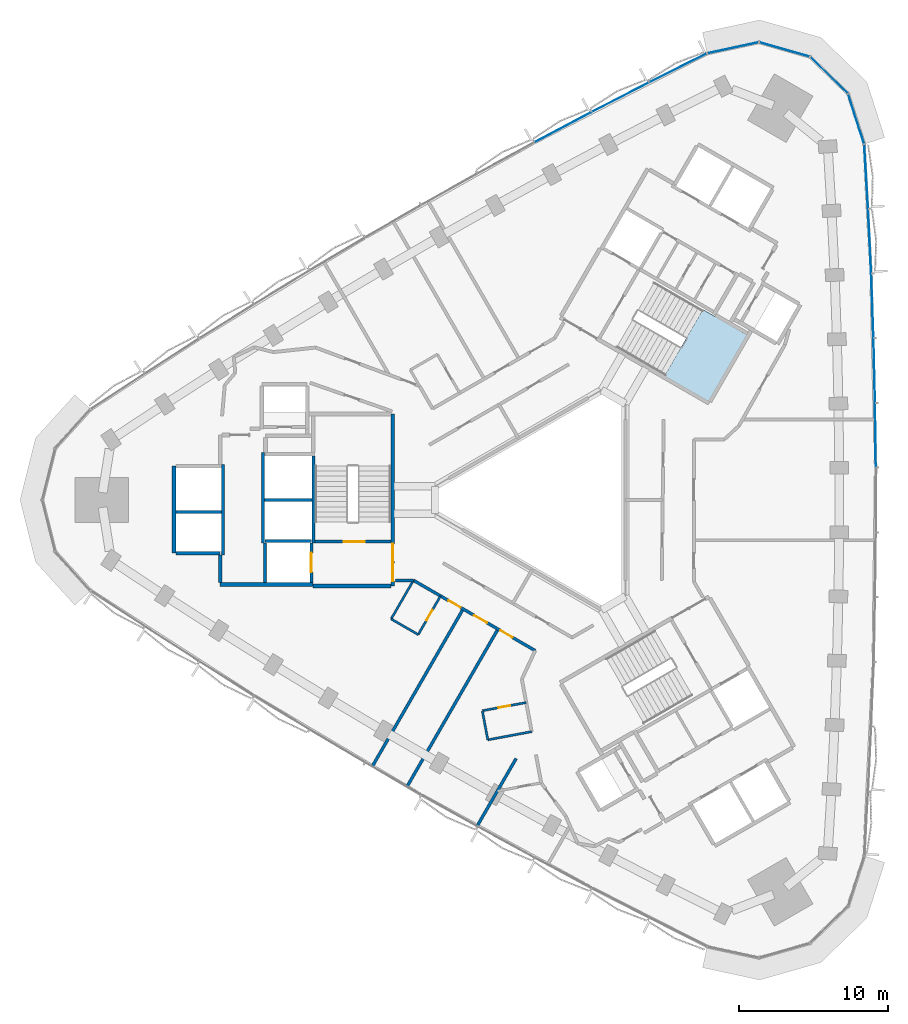
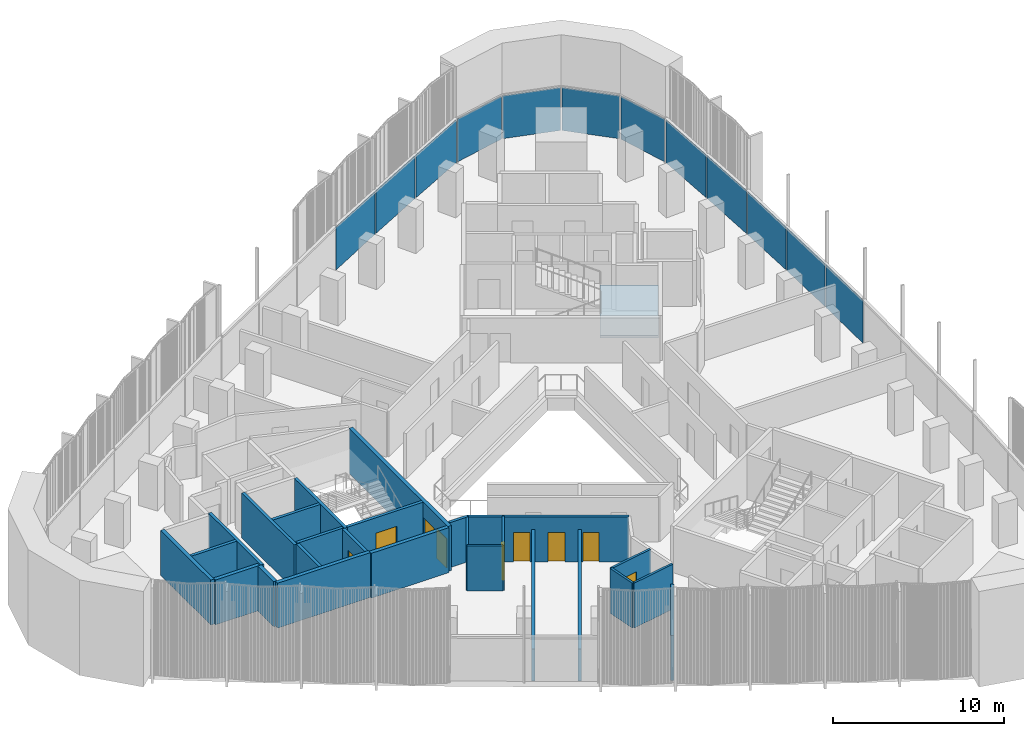
# One storey, part 7 of 14: 26 walls, 12 plates, 9 doors, 1 slab, 9 openings, 3 elements without a shape of their own.
"""IFC4 building model written with IfcOpenShell, lengths in metres."""

from ifc_helpers import new_model, si_unit, direction, frame, frame_2d, origin, origin_2d, place, context, subcontext, project, spatial, polyline, rectangle, outline, extrude, material, layer, layer_set, type_object, element, fill, aggregate, save


model = new_model("IFC4")

# Units and contexts
model_context = context("Model", 3, precision=1e-05, world=origin(), true_north=direction((0.0, 1.0)))
body_context = subcontext(model_context, "Body", "Model", "MODEL_VIEW")
ifc_project = project(units=[si_unit("LENGTHUNIT", "METRE"), si_unit("AREAUNIT", "SQUARE_METRE"), si_unit("VOLUMEUNIT", "CUBIC_METRE"), si_unit("PLANEANGLEUNIT", "RADIAN"), si_unit("MASSUNIT", "GRAM", prefix="KILO")], contexts=[model_context])

# Site, building, storey
site_placement = place(None, origin())
site = spatial("IfcSite", under=ifc_project, at=site_placement, CompositionType="ELEMENT")
building_placement = place(site_placement, origin())
building = spatial("IfcBuilding", under=site, at=building_placement, Name="Tamra Quay Hotel Tower", CompositionType="ELEMENT")
storey_placement = place(building_placement, frame((0.0, 0.0, 139.60009765625)))
storey = spatial("IfcBuildingStorey", under=building, at=storey_placement, Name="L34", CompositionType="ELEMENT", Elevation=139.60009765625)

# Stair, slab
ifc_material_1 = material(Name="Exit stair 2200 24 risers 150.0 going 342")
stair_type = type_object("IfcStairType", Name="Exit stair 2200 24 risers 150.0 going 342", PredefinedType="HALF_TURN_STAIR", material=ifc_material_1)
stair_placement = place(storey_placement, origin())
stair = element("IfcStair", 1, at=stair_placement, inside=storey, type_object=stair_type, Name="L34 Exit stair ST1", PredefinedType="HALF_TURN_STAIR")
ifc_material_2 = material(Name="Concrete M70", Category="concrete")
ifc_layer_1 = layer(ifc_material_2, 0.175048828125)
ifc_layer_set_1 = layer_set([ifc_layer_1], Name="Concrete M70 stair landing 180")
slab_type = type_object("IfcSlabType", Name="Concrete M70 stair landing 180", PredefinedType="LANDING", material=ifc_layer_set_1)
slab_placement = place(storey_placement, frame((0.0, 0.0, 1.625)))
slab = element("IfcSlab", 2, at=slab_placement, type_object=slab_type, Name="ST1 landing 1", PredefinedType="LANDING", context=body_context, shape_type="SweptSolid", body=[
    extrude(outline(polyline([(7.425048828125, 8.336669921875), (10.385009765625, 6.627685546875), (12.964599609375, 11.095458984375), (10.00439453125, 12.804443359375), (7.425048828125, 8.336669921875)])), origin(), (0.0, 0.0, 1.0), 0.1748046875),
])
aggregate(stair, [slab])

# Curtain wall, plates
ifc_material_3 = material(Name="Aluminium 6063 anodised dark grey", Category="aluminium")
curtain_wall_type_1 = type_object("IfcCurtainWallType", Name="CW1 CURTAIN WALL", PredefinedType="NOTDEFINED", material=ifc_material_3)
curtain_wall_1_placement = place(storey_placement, origin())
curtain_wall_1 = element("IfcCurtainWall", 3, at=curtain_wall_1_placement, inside=storey, type_object=curtain_wall_type_1, Name="CW1 east face L34", PredefinedType="NOTDEFINED")
ifc_material_4 = material(Name="Glass clear laminated low-iron", Category="glass")
ifc_layer_2 = layer(ifc_material_4, 0.031982421875)
ifc_layer_set_2 = layer_set([ifc_layer_2], Name="GLASS PANEL CW1 Z3")
plate_type_1 = type_object("IfcPlateType", Name="GLASS PANEL CW1 Z3", PredefinedType="CURTAIN_PANEL", material=ifc_layer_set_2)
plate_1_placement = place(storey_placement, frame((21.60546875, 4.3515625, -0.000244140625), z_axis=(0.0, 0.0, 1.0), x_axis=(-0.011956859788, 0.999928514197, 0.0)))
plate_1 = element("IfcPlate", 4, at=plate_1_placement, type_object=plate_type_1, Name="CW1 glass L34.E.7", PredefinedType="CURTAIN_PANEL", context=body_context, shape_type="SweptSolid", body=[
    extrude(rectangle(XDim=4.2509765625, YDim=0.031982421875, at=origin_2d()), origin(), (0.0, 0.0, 1.0), 3.06005859375),
])
plate_2_placement = place(storey_placement, frame((21.527587890625, 8.70263671875, -0.000244140625), z_axis=(0.0, 0.0, 1.0), x_axis=(-0.023895852937, 0.999714453338, 0.0)))
plate_2 = element("IfcPlate", 5, at=plate_2_placement, type_object=plate_type_1, Name="CW1 glass L34.E.8", PredefinedType="CURTAIN_PANEL", context=body_context, shape_type="SweptSolid", body=[
    extrude(rectangle(XDim=4.252685546875, YDim=0.031982421875, at=origin_2d()), origin(), (0.0, 0.0, 1.0), 3.06005859375),
])
plate_3_placement = place(storey_placement, frame((21.3974609375, 13.05322265625, -0.000244140625), z_axis=(0.0, 0.0, 1.0), x_axis=(-0.035845418958, 0.999357346468, 0.0)))
plate_3 = element("IfcPlate", 6, at=plate_3_placement, type_object=plate_type_1, Name="CW1 glass L34.E.9", PredefinedType="CURTAIN_PANEL", context=body_context, shape_type="SweptSolid", body=[
    extrude(rectangle(XDim=4.252685546875, YDim=0.031982421875, at=origin_2d()), origin(), (0.0, 0.0, 1.0), 3.06005859375),
])
plate_4_placement = place(storey_placement, frame((21.215576171875, 17.401123046875, -0.000244140625), z_axis=(0.0, 0.0, 1.0), x_axis=(-0.047747439326, 0.998859440581, 0.0)))
plate_4 = element("IfcPlate", 7, at=plate_4_placement, type_object=plate_type_1, Name="CW1 glass L34.E.10", PredefinedType="CURTAIN_PANEL", context=body_context, shape_type="SweptSolid", body=[
    extrude(rectangle(XDim=4.2509765625, YDim=0.031982421875, at=origin_2d()), origin(), (0.0, 0.0, 1.0), 3.06005859375),
])
plate_5_placement = place(storey_placement, frame((20.98193359375, 21.74609375, -0.000244140625), z_axis=(0.0, 0.0, 1.0), x_axis=(-0.059641629271, 0.998219853568, 0.0)))
plate_5 = element("IfcPlate", 8, at=plate_5_placement, type_object=plate_type_1, Name="CW1 glass L34.E.11", PredefinedType="CURTAIN_PANEL", context=body_context, shape_type="SweptSolid", body=[
    extrude(rectangle(XDim=4.251708984375, YDim=0.031982421875, at=origin_2d()), origin(), (0.0, 0.0, 1.0), 3.06005859375),
])
plate_6_placement = place(storey_placement, frame((20.306884765625, 25.615234375, -0.000244140625), z_axis=(0.0, 0.0, 1.0), x_axis=(-0.305914777883, 0.952058899792, 0.0)))
plate_6 = element("IfcPlate", 9, at=plate_6_placement, type_object=plate_type_1, Name="CW1 glass L34.E.12", PredefinedType="CURTAIN_PANEL", context=body_context, shape_type="SweptSolid", body=[
    extrude(rectangle(XDim=3.46484375, YDim=0.031982421875, at=origin_2d()), origin(), (0.0, 0.0, 1.0), 3.06005859375),
])
plate_7_placement = place(storey_placement, frame((18.480712890625, 28.5517578125, -0.000244140625), z_axis=(0.0, 0.0, 1.0), x_axis=(-0.718584480635, 0.695439676888, 0.0)))
plate_7 = element("IfcPlate", 10, at=plate_7_placement, type_object=plate_type_1, Name="CW1 glass L34.E.13", PredefinedType="CURTAIN_PANEL", context=body_context, shape_type="SweptSolid", body=[
    extrude(rectangle(XDim=3.46484375, YDim=0.031982421875, at=origin_2d()), origin(), (0.0, 0.0, 1.0), 3.06005859375),
])
plate_8_placement = place(storey_placement, frame((15.486083984375, 30.28076171875, -0.000244140625), z_axis=(0.0, 0.0, 1.0), x_axis=(-0.961560667302, 0.274592576551, 0.0)))
plate_8 = element("IfcPlate", 11, at=plate_8_placement, type_object=plate_type_1, Name="CW1 glass L34.E.14", PredefinedType="CURTAIN_PANEL", context=body_context, shape_type="SweptSolid", body=[
    extrude(rectangle(XDim=3.46484375, YDim=0.031982421875, at=origin_2d()), origin(), (0.0, 0.0, 1.0), 3.06005859375),
])
plate_9_placement = place(storey_placement, frame((12.030029296875, 30.393798828125, -0.000244140625), z_axis=(0.0, 0.0, 1.0), x_axis=(-0.97746458206, -0.211099480856, 0.0)))
plate_9 = element("IfcPlate", 12, at=plate_9_placement, type_object=plate_type_1, Name="CW1 glass L34.E.15", PredefinedType="CURTAIN_PANEL", context=body_context, shape_type="SweptSolid", body=[
    extrude(rectangle(XDim=3.46484375, YDim=0.031982421875, at=origin_2d()), origin(), (0.0, 0.0, 1.0), 3.06005859375),
])
aggregate(curtain_wall_1, [plate_1, plate_2, plate_3, plate_4, plate_5, plate_6, plate_7, plate_8, plate_9])

curtain_wall_type_2 = type_object("IfcCurtainWallType", Name="CW2 CURTAIN WALL", PredefinedType="NOTDEFINED", material=ifc_material_3)
curtain_wall_2_placement = place(storey_placement, origin())
curtain_wall_2 = element("IfcCurtainWall", 13, at=curtain_wall_2_placement, inside=storey, type_object=curtain_wall_type_2, Name="CW2 north-west face L34", PredefinedType="NOTDEFINED")
ifc_layer_3 = layer(ifc_material_4, 0.031982421875)
ifc_layer_set_3 = layer_set([ifc_layer_3], Name="GLASS PANEL CW2 Z3")
plate_type_2 = type_object("IfcPlateType", Name="GLASS PANEL CW2 Z3", PredefinedType="CURTAIN_PANEL", material=ifc_layer_set_3)
plate_10_placement = place(storey_placement, frame((8.341796875, 29.0439453125, -0.000244140625), z_axis=(0.0, 0.0, 1.0), x_axis=(-0.894304566387, -0.447458760713, 0.0)))
plate_10 = element("IfcPlate", 14, at=plate_10_placement, type_object=plate_type_2, Name="CW2 glass L34.NW.1", PredefinedType="CURTAIN_PANEL", context=body_context, shape_type="SweptSolid", body=[
    extrude(rectangle(XDim=4.251708984375, YDim=0.031982421875, at=origin_2d()), origin(), (0.0, 0.0, 1.0), 3.06005859375),
])
plate_11_placement = place(storey_placement, frame((4.462158203125, 27.073974609375, -0.000244140625), z_axis=(0.0, 0.0, 1.0), x_axis=(-0.888911370016, -0.458079224868, 0.0)))
plate_11 = element("IfcPlate", 15, at=plate_11_placement, type_object=plate_type_2, Name="CW2 glass L34.NW.2", PredefinedType="CURTAIN_PANEL", context=body_context, shape_type="SweptSolid", body=[
    extrude(rectangle(XDim=4.2509765625, YDim=0.031982421875, at=origin_2d()), origin(), (0.0, 0.0, 1.0), 3.06005859375),
])
plate_12_placement = place(storey_placement, frame((0.605712890625, 25.057373046875, -0.000244140625), z_axis=(0.0, 0.0, 1.0), x_axis=(-0.883391558979, -0.468635629808, 0.0)))
plate_12 = element("IfcPlate", 16, at=plate_12_placement, type_object=plate_type_2, Name="CW2 glass L34.NW.3", PredefinedType="CURTAIN_PANEL", context=body_context, shape_type="SweptSolid", body=[
    extrude(rectangle(XDim=4.252685546875, YDim=0.031982421875, at=origin_2d()), origin(), (0.0, 0.0, 1.0), 3.06005859375),
])
aggregate(curtain_wall_2, [plate_10, plate_11, plate_12])

# Walls
ifc_layer_4 = layer(ifc_material_2, 0.199951171875)
ifc_layer_set_4 = layer_set([ifc_layer_4], Name="Concrete M70 core wall 200")
wall_type_1 = type_object("IfcWallType", Name="Concrete M70 core wall 200", PredefinedType="SHEAR", material=ifc_layer_set_4)
wall_1_placement = place(storey_placement, frame((-16.162109375, 2.95068359375, 0.0), z_axis=(0.0, 0.0, 1.0), x_axis=(0.0, -1.0, 0.0)))
element("IfcWall", 17, at=wall_1_placement, inside=storey, type_object=wall_type_1, Name="CW2", PredefinedType="SHEAR", context=body_context, shape_type="SweptSolid", body=[
    extrude(rectangle(XDim=5.850830078125, YDim=0.199951171875, at=frame_2d((2.92529296875, 0.0))), origin(), (0.0, 0.0, 1.0), 3.199951171875),
])
for number, where, z_axis, x_axis, name in (
    (18, (-19.5625, -2.900146484375, 0.0), (0.0, 0.0, 1.0), (0.0, 1.0, 0.0), "CW2"),
    (19, (-22.26220703125, 2.400146484375, 0.0), (0.0, 0.0, 1.0), (0.0, -1.0, 0.0), "CW2"),
):
    element("IfcWall", number, at=place(storey_placement, frame(where, z_axis=z_axis, x_axis=x_axis)), inside=storey, type_object=wall_type_1, Name=name, PredefinedType="SHEAR", context=body_context, shape_type="SweptSolid", body=[
        extrude(rectangle(XDim=6.100341796875, YDim=0.199951171875, at=frame_2d((3.05029296875, 0.0))), origin(), (0.0, 0.0, 1.0), 3.199951171875),
    ])

# Wall, opening, door
wall_2_placement = place(storey_placement, frame((-10.96337890625, -2.800048828125, 0.0), z_axis=(0.0, 0.0, 1.0), x_axis=(-1.0, 0.0, 0.0)))
wall_2 = element("IfcWall", 20, at=wall_2_placement, inside=storey, type_object=wall_type_1, Name="CW2", PredefinedType="SHEAR", context=body_context, shape_type="SweptSolid", body=[
    extrude(rectangle(XDim=5.097900390625, YDim=0.199951171875, at=frame_2d((2.548828125, 0.0))), origin(), (0.0, 0.0, 1.0), 3.199951171875),
])
opening_1_placement = place(wall_2_placement, frame((1.77392578125, 0.0, 0.0)))
opening_1 = element("IfcOpeningElement", 21, at=opening_1_placement, cuts=wall_2, Name="Opening FD2", PredefinedType="OPENING", context=body_context, shape_type="SweptSolid", body=[
    extrude(rectangle(XDim=1.39990234375, YDim=2.10009765625, at=frame_2d((0.699951171875, 1.050048828125))), frame((0.0, 0.10986328125, 0.0), z_axis=(0.0, -1.0, 0.0), x_axis=(1.0, 0.0, 0.0)), (0.0, 0.0, 1.0), 0.219970703125),
])
ifc_material_5 = material(Name="Core door FD2 1400x2100 RH")
door_type_1 = type_object("IfcDoorType", Name="Core door FD2 1400x2100 RH", OperationType="NOTDEFINED", PredefinedType="DOOR", material=ifc_material_5)
door_1_placement = place(opening_1_placement, origin())
door_1 = element("IfcDoor", 22, at=door_1_placement, inside=storey, type_object=door_type_1, Name="FD2", OperationType="SINGLE_SWING_RIGHT", OverallHeight=2.10009765625, OverallWidth=1.39990234375, PredefinedType="DOOR", context=body_context, shape_type="SweptSolid", body=[
    extrude(rectangle(XDim=1.39990234375, YDim=2.10009765625, at=frame_2d((0.699951171875, 1.050048828125))), frame((0.0, 0.02490234375, 0.0), z_axis=(0.0, -1.0, 0.0), x_axis=(1.0, 0.0, 0.0)), (0.0, 0.0, 1.0), 0.050048828125),
])
fill(opening_1, door_1)

# Walls
wall_3_placement = place(storey_placement, frame((-16.26318359375, 0.0, 0.0), z_axis=(0.0, 0.0, 1.0), x_axis=(-1.0, 0.0, 0.0)))
element("IfcWall", 23, at=wall_3_placement, inside=storey, type_object=wall_type_1, Name="CW2", PredefinedType="SHEAR", context=body_context, shape_type="SweptSolid", body=[
    extrude(rectangle(XDim=3.1982421875, YDim=0.199951171875, at=frame_2d((1.59912109375, 0.0))), origin(), (0.0, 0.0, 1.0), 3.199951171875),
])
wall_4_placement = place(storey_placement, frame((-22.36328125, -0.800048828125, 0.0), z_axis=(0.0, 0.0, 1.0), x_axis=(-1.0, 0.0, 0.0)))
element("IfcWall", 24, at=wall_4_placement, inside=storey, type_object=wall_type_1, Name="CW2", PredefinedType="SHEAR", context=body_context, shape_type="SweptSolid", body=[
    extrude(rectangle(XDim=3.048095703125, YDim=0.199951171875, at=frame_2d((1.52392578125, 0.0))), origin(), (0.0, 0.0, 1.0), 3.199951171875),
])
wall_5_placement = place(storey_placement, frame((-19.412353515625, -2.75, 0.0), z_axis=(0.0, 0.0, 1.0), x_axis=(1.0, 0.0, 0.0)))
element("IfcWall", 25, at=wall_5_placement, inside=storey, type_object=wall_type_1, Name="CW2", PredefinedType="SHEAR", context=body_context, shape_type="SweptSolid", body=[
    extrude(rectangle(XDim=3.10009765625, YDim=0.199951171875, at=frame_2d((1.550048828125, 0.0))), origin(), (0.0, 0.0, 1.0), 3.199951171875),
])

# Wall, opening, door
wall_6_placement = place(storey_placement, frame((-16.312255859375, -2.898193359375, 0.0), z_axis=(0.0, 0.0, 1.0), x_axis=(0.0, -1.0, 0.0)))
wall_6 = element("IfcWall", 26, at=wall_6_placement, inside=storey, type_object=wall_type_1, Name="CW2", PredefinedType="SHEAR", context=body_context, shape_type="SweptSolid", body=[
    extrude(rectangle(XDim=2.65087890625, YDim=0.199951171875, at=frame_2d((1.325439453125, 0.0))), origin(), (0.0, 0.0, 1.0), 3.199951171875),
])
opening_2_placement = place(wall_6_placement, frame((0.65185546875, 0.0, 0.0)))
opening_2 = element("IfcOpeningElement", 27, at=opening_2_placement, cuts=wall_6, Name="Opening LD", PredefinedType="OPENING", context=body_context, shape_type="SweptSolid", body=[
    extrude(rectangle(XDim=1.300048828125, YDim=2.10009765625, at=frame_2d((0.64990234375, 1.050048828125))), frame((0.0, 0.10986328125, 0.0), z_axis=(0.0, -1.0, 0.0), x_axis=(1.0, 0.0, 0.0)), (0.0, 0.0, 1.0), 0.219970703125),
])
ifc_material_6 = material(Name="Landing door LD 1300 sliding to right")
door_type_2 = type_object("IfcDoorType", Name="Landing door LD 1300 sliding to right", OperationType="NOTDEFINED", PredefinedType="DOOR", material=ifc_material_6)
door_2_placement = place(opening_2_placement, origin())
door_2 = element("IfcDoor", 28, at=door_2_placement, inside=storey, type_object=door_type_2, Name="LD", OperationType="SLIDING_TO_RIGHT", OverallHeight=2.10009765625, OverallWidth=1.300048828125, PredefinedType="DOOR", context=body_context, shape_type="SweptSolid", body=[
    extrude(rectangle(XDim=1.300048828125, YDim=2.10009765625, at=frame_2d((0.64990234375, 1.050048828125))), frame((0.0, 0.02490234375, 0.0), z_axis=(0.0, -1.0, 0.0), x_axis=(1.0, 0.0, 0.0)), (0.0, 0.0, 1.0), 0.050048828125),
])
fill(opening_2, door_2)

# Wall
wall_7_placement = place(storey_placement, frame((-19.412353515625, -5.549072265625, 0.0), z_axis=(0.0, 0.0, 1.0), x_axis=(0.0, 1.0, 0.0)))
element("IfcWall", 29, at=wall_7_placement, inside=storey, type_object=wall_type_1, Name="CW2", PredefinedType="SHEAR", context=body_context, shape_type="SweptSolid", body=[
    extrude(rectangle(XDim=2.65087890625, YDim=0.199951171875, at=frame_2d((1.325439453125, 0.0))), origin(), (0.0, 0.0, 1.0), 3.199951171875),
])

# Wall, openings, doors
ifc_layer_5 = layer(ifc_material_2, 0.25)
ifc_layer_set_5 = layer_set([ifc_layer_5], Name="Concrete M70 core wall 250")
wall_type_2 = type_object("IfcWallType", Name="Concrete M70 core wall 250", PredefinedType="SHEAR", material=ifc_layer_set_5)
wall_8_placement = place(storey_placement, frame((-10.83740234375, 5.77490234375, 0.0), z_axis=(0.0, 0.0, 1.0), x_axis=(0.0, -1.0, 0.0)))
wall_8 = element("IfcWall", 30, at=wall_8_placement, inside=storey, type_object=wall_type_2, Name="CW1", PredefinedType="SHEAR", context=body_context, shape_type="SweptSolid", body=[
    extrude(rectangle(XDim=11.5498046875, YDim=0.25, at=frame_2d((5.77490234375, 0.0))), origin(), (0.0, 0.0, 1.0), 3.199951171875),
])
opening_3_placement = place(wall_8_placement, frame((10.02490234375, 0.0, 0.0)))
opening_3 = element("IfcOpeningElement", 31, at=opening_3_placement, cuts=wall_8, Name="Opening FD1", PredefinedType="OPENING", context=body_context, shape_type="SweptSolid", body=[
    extrude(rectangle(XDim=1.199951171875, YDim=2.10009765625, at=frame_2d((0.60009765625, 1.050048828125))), frame((0.0, 0.135009765625, 0.0), z_axis=(0.0, -1.0, 0.0), x_axis=(1.0, 0.0, 0.0)), (0.0, 0.0, 1.0), 0.27001953125),
])
opening_4_placement = place(wall_8_placement, frame((8.72509765625, 0.0, 0.0)))
opening_4 = element("IfcOpeningElement", 32, at=opening_4_placement, cuts=wall_8, Name="Opening FD1", PredefinedType="OPENING", context=body_context, shape_type="SweptSolid", body=[
    extrude(rectangle(XDim=1.199951171875, YDim=2.10009765625, at=frame_2d((0.60009765625, 1.050048828125))), frame((0.0, 0.135009765625, 0.0), z_axis=(0.0, -1.0, 0.0), x_axis=(1.0, 0.0, 0.0)), (0.0, 0.0, 1.0), 0.27001953125),
])
ifc_material_7 = material(Name="Core door FD1 1200x2100 LH")
door_type_3 = type_object("IfcDoorType", Name="Core door FD1 1200x2100 LH", OperationType="NOTDEFINED", PredefinedType="DOOR", material=ifc_material_7)
door_3_placement = place(opening_3_placement, origin())
door_3 = element("IfcDoor", 33, at=door_3_placement, inside=storey, type_object=door_type_3, Name="FD1", OperationType="SINGLE_SWING_LEFT", OverallHeight=2.10009765625, OverallWidth=1.199951171875, PredefinedType="DOOR", context=body_context, shape_type="SweptSolid", body=[
    extrude(rectangle(XDim=1.199951171875, YDim=2.10009765625, at=frame_2d((0.60009765625, 1.050048828125))), frame((0.0, 0.02490234375, 0.0), z_axis=(0.0, -1.0, 0.0), x_axis=(1.0, 0.0, 0.0)), (0.0, 0.0, 1.0), 0.050048828125),
])
fill(opening_3, door_3)
ifc_material_8 = material(Name="Core door FD1 1200x2100 RH")
door_type_4 = type_object("IfcDoorType", Name="Core door FD1 1200x2100 RH", OperationType="NOTDEFINED", PredefinedType="DOOR", material=ifc_material_8)
door_4_placement = place(opening_4_placement, origin())
door_4 = element("IfcDoor", 34, at=door_4_placement, inside=storey, type_object=door_type_4, Name="FD1", OperationType="SINGLE_SWING_RIGHT", OverallHeight=2.10009765625, OverallWidth=1.199951171875, PredefinedType="DOOR", context=body_context, shape_type="SweptSolid", body=[
    extrude(rectangle(XDim=1.199951171875, YDim=2.10009765625, at=frame_2d((0.60009765625, 1.050048828125))), frame((0.0, 0.02490234375, 0.0), z_axis=(0.0, -1.0, 0.0), x_axis=(1.0, 0.0, 0.0)), (0.0, 0.0, 1.0), 0.050048828125),
])
fill(opening_4, door_4)

# Walls
wall_9_placement = place(storey_placement, frame((-16.187255859375, -5.675048828125, 0.0), z_axis=(0.0, 0.0, 1.0), x_axis=(-1.0, 0.0, 0.0)))
element("IfcWall", 35, at=wall_9_placement, inside=storey, type_object=wall_type_2, Name="CW1", PredefinedType="SHEAR", context=body_context, shape_type="SweptSolid", body=[
    extrude(rectangle(XDim=6.25, YDim=0.25, at=frame_2d((3.125, 0.0))), origin(), (0.0, 0.0, 1.0), 3.199951171875),
])
wall_10_placement = place(storey_placement, frame((-25.537353515625, -3.574951171875, 0.0), z_axis=(0.0, 0.0, 1.0), x_axis=(0.0, 1.0, 0.0)))
element("IfcWall", 36, at=wall_10_placement, inside=storey, type_object=wall_type_2, Name="CW1", PredefinedType="SHEAR", context=body_context, shape_type="SweptSolid", body=[
    extrude(rectangle(XDim=5.849853515625, YDim=0.25, at=frame_2d((2.9248046875, 0.0))), origin(), (0.0, 0.0, 1.0), 3.199951171875),
])
wall_11_placement = place(storey_placement, frame((-10.962646484375, -5.77490234375, 0.0), z_axis=(0.0, 0.0, 1.0), x_axis=(-1.0, 0.0, 0.0)))
element("IfcWall", 37, at=wall_11_placement, inside=storey, type_object=wall_type_2, Name="CW1", PredefinedType="SHEAR", context=body_context, shape_type="SweptSolid", body=[
    extrude(rectangle(XDim=5.224609375, YDim=0.25, at=frame_2d((2.6123046875, 0.0))), origin(), (0.0, 0.0, 1.0), 3.199951171875),
])
wall_12_placement = place(storey_placement, frame((-22.437255859375, -3.574951171875, 0.0), z_axis=(0.0, 0.0, 1.0), x_axis=(-1.0, 0.0, 0.0)))
element("IfcWall", 38, at=wall_12_placement, inside=storey, type_object=wall_type_2, Name="CW1", PredefinedType="SHEAR", context=body_context, shape_type="SweptSolid", body=[
    extrude(rectangle(XDim=2.974609375, YDim=0.25, at=frame_2d((1.4873046875, 0.0))), origin(), (0.0, 0.0, 1.0), 3.199951171875),
])
wall_13_placement = place(storey_placement, frame((-22.437255859375, -5.549560546875, 0.0), z_axis=(0.0, 0.0, 1.0), x_axis=(0.0, 1.0, 0.0)))
element("IfcWall", 39, at=wall_13_placement, inside=storey, type_object=wall_type_2, Name="CW1", PredefinedType="SHEAR", context=body_context, shape_type="SweptSolid", body=[
    extrude(rectangle(XDim=1.84912109375, YDim=0.25, at=frame_2d((0.924560546875, 0.0))), origin(), (0.0, 0.0, 1.0), 3.199951171875),
])
ifc_material_9 = material(Name="Partition corridor wall")
ifc_layer_6 = layer(ifc_material_9, 0.199951171875)
ifc_layer_set_6 = layer_set([ifc_layer_6], Name="Partition corridor wall")
wall_type_3 = type_object("IfcWallType", Name="Partition corridor wall", PredefinedType="PARTITIONING", material=ifc_layer_set_6)
wall_14_placement = place(storey_placement, frame((-10.65234375, -5.39990234375, 0.0), z_axis=(0.0, 0.0, 1.0), x_axis=(1.0, 0.0, 0.0)))
element("IfcWall", 40, at=wall_14_placement, inside=storey, type_object=wall_type_3, Name="W-C", PredefinedType="PARTITIONING", context=body_context, shape_type="SweptSolid", body=[
    extrude(rectangle(XDim=1.205322265625, YDim=0.199951171875, at=frame_2d((0.6025390625, 0.0))), origin(), (0.0, 0.0, 1.0), 3.199951171875),
])

# Wall, openings, doors
wall_15_placement = place(storey_placement, frame((-9.447265625, -5.400390625, 0.0), z_axis=(0.0, 0.0, 1.0), x_axis=(0.866101262146, -0.49986858644, 0.0)))
wall_15 = element("IfcWall", 41, at=wall_15_placement, inside=storey, type_object=wall_type_3, Name="W-C", PredefinedType="PARTITIONING", context=body_context, shape_type="SweptSolid", body=[
    extrude(rectangle(XDim=9.44873046875, YDim=0.199951171875, at=frame_2d((4.724365234375, 0.0))), origin(), (0.0, 0.0, 1.0), 3.199951171875),
])
opening_5_placement = place(wall_15_placement, frame((2.71826171875, 0.0, 0.0)))
opening_5 = element("IfcOpeningElement", 42, at=opening_5_placement, cuts=wall_15, Name="Opening L34-D010", PredefinedType="OPENING", context=body_context, shape_type="SweptSolid", body=[
    extrude(rectangle(XDim=0.949951171875, YDim=2.10009765625, at=frame_2d((0.47509765625, 1.050048828125))), frame((0.0, 0.10986328125, 0.0), z_axis=(0.0, -1.0, 0.0), x_axis=(1.0, 0.0, 0.0)), (0.0, 0.0, 1.0), 0.219970703125),
])
opening_6_placement = place(wall_15_placement, frame((4.706787109375, 0.0, 0.0)))
opening_6 = element("IfcOpeningElement", 43, at=opening_6_placement, cuts=wall_15, Name="Opening L34-D012", PredefinedType="OPENING", context=body_context, shape_type="SweptSolid", body=[
    extrude(rectangle(XDim=1.0, YDim=2.10009765625, at=frame_2d((0.5, 1.050048828125))), frame((0.0, 0.10986328125, 0.0), z_axis=(0.0, -1.0, 0.0), x_axis=(1.0, 0.0, 0.0)), (0.0, 0.0, 1.0), 0.219970703125),
])
opening_7_placement = place(wall_15_placement, frame((6.74609375, 0.0, 0.0)))
opening_7 = element("IfcOpeningElement", 44, at=opening_7_placement, cuts=wall_15, Name="Opening L34-D013", PredefinedType="OPENING", context=body_context, shape_type="SweptSolid", body=[
    extrude(rectangle(XDim=0.949951171875, YDim=2.10009765625, at=frame_2d((0.47509765625, 1.050048828125))), frame((0.0, 0.10986328125, 0.0), z_axis=(0.0, -1.0, 0.0), x_axis=(1.0, 0.0, 0.0)), (0.0, 0.0, 1.0), 0.219970703125),
])
ifc_material_10 = material(Name="Door guest room 1000x2100")
door_type_5 = type_object("IfcDoorType", Name="Door guest room 1000x2100", OperationType="NOTDEFINED", PredefinedType="DOOR", material=ifc_material_10)
door_5_placement = place(opening_6_placement, frame((1.0, 0.0, 0.0), z_axis=(0.0, 0.0, 1.0), x_axis=(-1.0, 0.0, 0.0)))
door_5 = element("IfcDoor", 45, at=door_5_placement, inside=storey, type_object=door_type_5, Name="L34-D012", OperationType="SINGLE_SWING_LEFT", OverallHeight=2.10009765625, OverallWidth=1.0, PredefinedType="DOOR", context=body_context, shape_type="SweptSolid", body=[
    extrude(rectangle(XDim=1.0, YDim=2.10009765625, at=frame_2d((0.5, 1.050048828125))), frame((0.0, 0.02490234375, 0.0), z_axis=(0.0, -1.0, 0.0), x_axis=(1.0, 0.0, 0.0)), (0.0, 0.0, 1.0), 0.050048828125),
])
fill(opening_6, door_5)
ifc_material_11 = material(Name="Door guest room 950x2100")
door_type_6 = type_object("IfcDoorType", Name="Door guest room 950x2100", OperationType="NOTDEFINED", PredefinedType="DOOR", material=ifc_material_11)
door_6_placement = place(opening_5_placement, frame((0.949951171875, 0.0, 0.0), z_axis=(0.0, 0.0, 1.0), x_axis=(-1.0, 0.0, 0.0)))
door_6 = element("IfcDoor", 46, at=door_6_placement, inside=storey, type_object=door_type_6, Name="L34-D010", OperationType="SINGLE_SWING_LEFT", OverallHeight=2.10009765625, OverallWidth=0.949951171875, PredefinedType="DOOR", context=body_context, shape_type="SweptSolid", body=[
    extrude(rectangle(XDim=0.949951171875, YDim=2.10009765625, at=frame_2d((0.47509765625, 1.050048828125))), frame((0.0, 0.02490234375, 0.0), z_axis=(0.0, -1.0, 0.0), x_axis=(1.0, 0.0, 0.0)), (0.0, 0.0, 1.0), 0.050048828125),
])
fill(opening_5, door_6)
door_7_placement = place(opening_7_placement, frame((0.949951171875, 0.0, 0.0), z_axis=(0.0, 0.0, 1.0), x_axis=(-1.0, 0.0, 0.0)))
door_7 = element("IfcDoor", 47, at=door_7_placement, inside=storey, type_object=door_type_6, Name="L34-D013", OperationType="SINGLE_SWING_LEFT", OverallHeight=2.10009765625, OverallWidth=0.949951171875, PredefinedType="DOOR", context=body_context, shape_type="SweptSolid", body=[
    extrude(rectangle(XDim=0.949951171875, YDim=2.10009765625, at=frame_2d((0.47509765625, 1.050048828125))), frame((0.0, 0.02490234375, 0.0), z_axis=(0.0, -1.0, 0.0), x_axis=(1.0, 0.0, 0.0)), (0.0, 0.0, 1.0), 0.050048828125),
])
fill(opening_7, door_7)

# Walls
ifc_material_12 = material(Name="Partition en-suite wall")
ifc_layer_7 = layer(ifc_material_12, 0.14990234375)
ifc_layer_set_7 = layer_set([ifc_layer_7], Name="Partition en-suite wall")
wall_type_4 = type_object("IfcWallType", Name="Partition en-suite wall", PredefinedType="PARTITIONING", material=ifc_layer_set_7)
wall_16_placement = place(storey_placement, frame((-10.946044921875, -7.99609375, 0.0), z_axis=(0.0, 0.0, 1.0), x_axis=(0.500027927039, 0.866009279501, 0.0)))
element("IfcWall", 48, at=wall_16_placement, inside=storey, type_object=wall_type_4, Name="W-E", PredefinedType="PARTITIONING", context=body_context, shape_type="SweptSolid", body=[
    extrude(rectangle(XDim=2.997802734375, YDim=0.14990234375, at=frame_2d((1.4990234375, 0.0))), origin(), (0.0, 0.0, 1.0), 3.199951171875),
])
wall_17_placement = place(storey_placement, frame((-10.945068359375, -7.9990234375, 0.0), z_axis=(0.0, 0.0, 1.0), x_axis=(0.866005190944, -0.500035008033, 0.0)))
element("IfcWall", 49, at=wall_17_placement, inside=storey, type_object=wall_type_4, Name="W-E", PredefinedType="PARTITIONING", context=body_context, shape_type="SweptSolid", body=[
    extrude(rectangle(XDim=2.095947265625, YDim=0.14990234375, at=frame_2d((1.0478515625, 0.0))), origin(), (0.0, 0.0, 1.0), 3.199951171875),
])

# Wall, opening, door
wall_18_placement = place(storey_placement, frame((-9.126953125, -9.0458984375, 0.0), z_axis=(0.0, 0.0, 1.0), x_axis=(0.499959910729, 0.866048548099, 0.0)))
wall_18 = element("IfcWall", 50, at=wall_18_placement, inside=storey, type_object=wall_type_4, Name="W-E", PredefinedType="PARTITIONING", context=body_context, shape_type="SweptSolid", body=[
    extrude(rectangle(XDim=2.996337890625, YDim=0.14990234375, at=frame_2d((1.498046875, 0.0))), origin(), (0.0, 0.0, 1.0), 3.199951171875),
])
opening_8_placement = place(wall_18_placement, frame((1.09765625, 0.0, 0.0)))
opening_8 = element("IfcOpeningElement", 51, at=opening_8_placement, cuts=wall_18, Name="Opening L34-D011", PredefinedType="OPENING", context=body_context, shape_type="SweptSolid", body=[
    extrude(rectangle(XDim=0.800048828125, YDim=2.10009765625, at=frame_2d((0.39990234375, 1.050048828125))), frame((0.0, 0.0849609375, 0.0), z_axis=(0.0, -1.0, 0.0), x_axis=(1.0, 0.0, 0.0)), (0.0, 0.0, 1.0), 0.169921875),
])
ifc_material_13 = material(Name="Door en-suite 800x2100")
door_type_7 = type_object("IfcDoorType", Name="Door en-suite 800x2100", OperationType="NOTDEFINED", PredefinedType="DOOR", material=ifc_material_13)
door_8_placement = place(opening_8_placement, origin())
door_8 = element("IfcDoor", 52, at=door_8_placement, inside=storey, type_object=door_type_7, Name="L34-D011", OperationType="SINGLE_SWING_LEFT", OverallHeight=2.10009765625, OverallWidth=0.800048828125, PredefinedType="DOOR", context=body_context, shape_type="SweptSolid", body=[
    extrude(rectangle(XDim=0.800048828125, YDim=2.10009765625, at=frame_2d((0.39990234375, 1.050048828125))), frame((0.0, 0.02490234375, 0.0), z_axis=(0.0, -1.0, 0.0), x_axis=(1.0, 0.0, 0.0)), (0.0, 0.0, 1.0), 0.050048828125),
])
fill(opening_8, door_8)

# Wall
wall_19_placement = place(storey_placement, frame((-4.81689453125, -14.166015625, 0.0), z_axis=(0.0, 0.0, 1.0), x_axis=(0.183903339385, -0.982944332993, 0.0)))
element("IfcWall", 53, at=wall_19_placement, inside=storey, type_object=wall_type_4, Name="W-E", PredefinedType="PARTITIONING", context=body_context, shape_type="SweptSolid", body=[
    extrude(rectangle(XDim=1.989990234375, YDim=0.14990234375, at=frame_2d((0.9951171875, 0.0))), origin(), (0.0, 0.0, 1.0), 3.199951171875),
])

# Wall, opening, door
wall_20_placement = place(storey_placement, frame((-4.81689453125, -14.166015625, 0.0), z_axis=(0.0, 0.0, 1.0), x_axis=(0.982987155193, 0.183674311555, 0.0)))
wall_20 = element("IfcWall", 54, at=wall_20_placement, inside=storey, type_object=wall_type_4, Name="W-E", PredefinedType="PARTITIONING", context=body_context, shape_type="SweptSolid", body=[
    extrude(rectangle(XDim=3.0, YDim=0.14990234375, at=frame_2d((1.5, 0.0))), origin(), (0.0, 0.0, 1.0), 3.199951171875),
])
opening_9_placement = place(wall_20_placement, frame((1.100341796875, 0.0, 0.0)))
opening_9 = element("IfcOpeningElement", 55, at=opening_9_placement, cuts=wall_20, Name="Opening L34-D014", PredefinedType="OPENING", context=body_context, shape_type="SweptSolid", body=[
    extrude(rectangle(XDim=0.800048828125, YDim=2.10009765625, at=frame_2d((0.39990234375, 1.050048828125))), frame((0.0, 0.0849609375, 0.0), z_axis=(0.0, -1.0, 0.0), x_axis=(1.0, 0.0, 0.0)), (0.0, 0.0, 1.0), 0.169921875),
])
door_9_placement = place(opening_9_placement, frame((0.800048828125, 0.0, 0.0), z_axis=(0.0, 0.0, 1.0), x_axis=(-1.0, 0.0, 0.0)))
door_9 = element("IfcDoor", 56, at=door_9_placement, inside=storey, type_object=door_type_7, Name="L34-D014", OperationType="SINGLE_SWING_LEFT", OverallHeight=2.10009765625, OverallWidth=0.800048828125, PredefinedType="DOOR", context=body_context, shape_type="SweptSolid", body=[
    extrude(rectangle(XDim=0.800048828125, YDim=2.10009765625, at=frame_2d((0.39990234375, 1.050048828125))), frame((0.0, 0.02490234375, 0.0), z_axis=(0.0, -1.0, 0.0), x_axis=(1.0, 0.0, 0.0)), (0.0, 0.0, 1.0), 0.050048828125),
])
fill(opening_9, door_9)

# Walls
wall_21_placement = place(storey_placement, frame((-4.450927734375, -16.1220703125, 0.0), z_axis=(0.0, 0.0, 1.0), x_axis=(0.982928336035, 0.18398882091, 0.0)))
element("IfcWall", 57, at=wall_21_placement, inside=storey, type_object=wall_type_4, Name="W-E", PredefinedType="PARTITIONING", context=body_context, shape_type="SweptSolid", body=[
    extrude(rectangle(XDim=3.000244140625, YDim=0.14990234375, at=frame_2d((1.5, 0.0))), origin(), (0.0, 0.0, 1.0), 3.199951171875),
])
ifc_material_14 = material(Name="Partition party wall")
ifc_layer_8 = layer(ifc_material_14, 0.199951171875)
ifc_layer_set_8 = layer_set([ifc_layer_8], Name="Partition party wall")
wall_type_5 = type_object("IfcWallType", Name="Partition party wall", PredefinedType="PARTITIONING", material=ifc_layer_set_8)
wall_22_placement = place(storey_placement, frame((-12.219970703125, -17.9169921875, 0.0), z_axis=(0.0, 0.0, 1.0), x_axis=(0.499963860175, 0.866046268117, 0.0)))
element("IfcWall", 58, at=wall_22_placement, inside=storey, type_object=wall_type_5, Name="W-P", PredefinedType="PARTITIONING", context=body_context, shape_type="SweptSolid", body=[
    extrude(rectangle(XDim=12.22705078125, YDim=0.199951171875, at=frame_2d((6.113525390625, 0.0))), origin(), (0.0, 0.0, 1.0), 2.2998046875),
])
wall_23_placement = place(storey_placement, frame((-9.881591796875, -19.26708984375, 0.0), z_axis=(0.0, 0.0, 1.0), x_axis=(0.499993811829, 0.866028976497, 0.0)))
element("IfcWall", 59, at=wall_23_placement, inside=storey, type_object=wall_type_5, Name="W-P", PredefinedType="PARTITIONING", context=body_context, shape_type="SweptSolid", body=[
    extrude(rectangle(XDim=12.227294921875, YDim=0.199951171875, at=frame_2d((6.11376953125, 0.0))), origin(), (0.0, 0.0, 1.0), 2.2998046875),
])
wall_24_placement = place(storey_placement, frame((-5.172607421875, -21.92626953125, 0.0), z_axis=(0.0, 0.0, 1.0), x_axis=(0.499941227542, 0.86605933342, 0.0)))
element("IfcWall", 60, at=wall_24_placement, inside=storey, type_object=wall_type_5, Name="W-P", PredefinedType="PARTITIONING", context=body_context, shape_type="SweptSolid", body=[
    extrude(rectangle(XDim=5.248779296875, YDim=0.199951171875, at=frame_2d((2.62451171875, 0.0))), origin(), (0.0, 0.0, 1.0), 3.199951171875),
])

save(model, "model.ifc")
